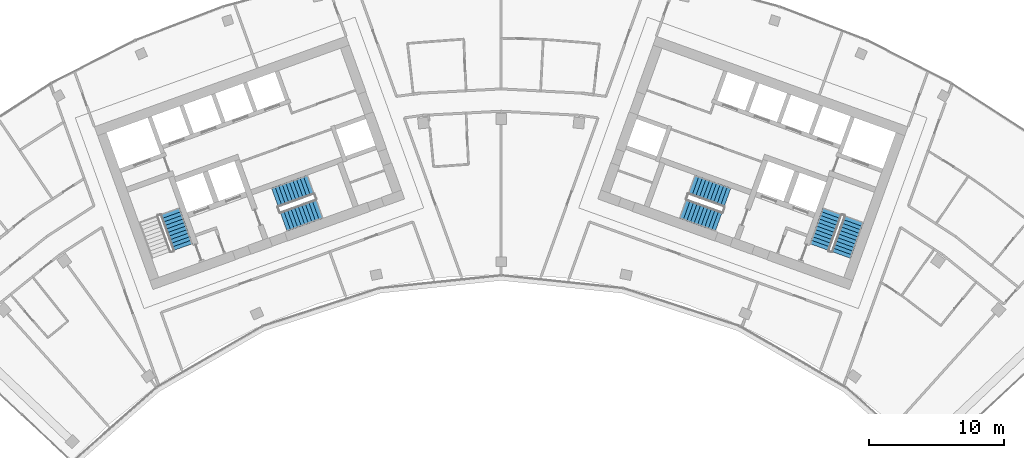
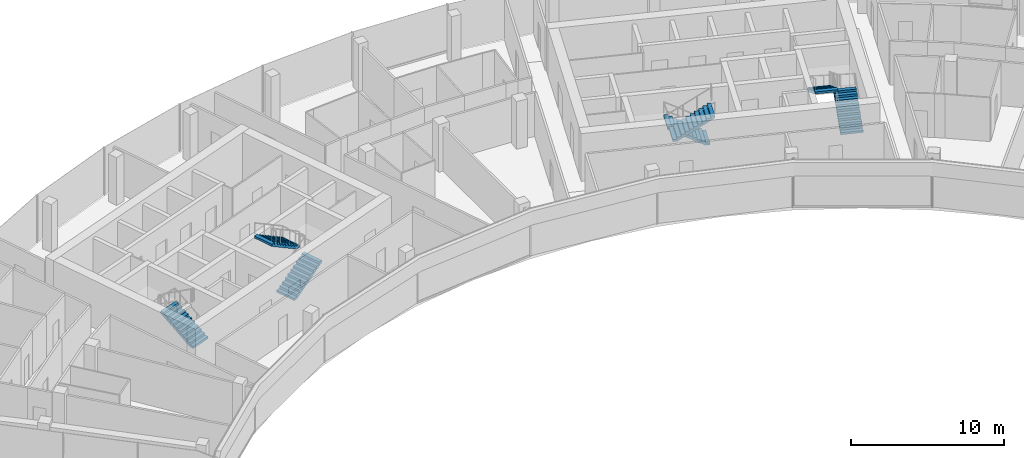
# One storey, part 17 of 18: 7 stair flights, 4 elements without a shape of their own.
"""IFC4 building model written with IfcOpenShell, lengths in metres."""

from ifc_helpers import new_model, si_unit, direction, frame, origin, place, context, subcontext, project, spatial, polyline, outline, extrude, material, type_object, element, aggregate, save


model = new_model("IFC4")

# Units and contexts
model_context = context("Model", 3, precision=1e-05, world=origin(), true_north=direction((0.0, 1.0)))
body_context = subcontext(model_context, "Body", "Model", "MODEL_VIEW")
ifc_project = project(units=[si_unit("LENGTHUNIT", "METRE"), si_unit("AREAUNIT", "SQUARE_METRE"), si_unit("VOLUMEUNIT", "CUBIC_METRE"), si_unit("PLANEANGLEUNIT", "RADIAN"), si_unit("MASSUNIT", "GRAM", prefix="KILO")], contexts=[model_context])

# Site, building, storey
site_placement = place(None, origin())
site = spatial("IfcSite", under=ifc_project, at=site_placement, CompositionType="ELEMENT")
building_placement = place(site_placement, origin())
building = spatial("IfcBuilding", under=site, at=building_placement, Name="Stone Belt Terrace Tower", CompositionType="ELEMENT")
storey_placement = place(building_placement, frame((0.0, 0.0, 288.39990234375)))
storey = spatial("IfcBuildingStorey", under=building, at=storey_placement, Name="L70", CompositionType="ELEMENT", Elevation=288.39990234375)

# Stair, stair flight
ifc_material = material(Name="Concrete B40", Category="concrete")
stair_type = type_object("IfcStairType", Name="Exit stair 1500", PredefinedType="HALF_TURN_STAIR", material=ifc_material)
stair_1_placement = place(storey_placement, origin())
stair_1 = element("IfcStair", 1, at=stair_1_placement, inside=storey, type_object=stair_type, Name="L70 Exit stair 1 core A", PredefinedType="HALF_TURN_STAIR")
stair_flight_type = type_object("IfcStairFlightType", Name="Stair flight 1500", PredefinedType="STRAIGHT", material=ifc_material)
stair_flight_1_placement = place(storey_placement, frame((-23.55322265625, 45.51318359375, 0.0), z_axis=(0.0, 0.0, 1.0), x_axis=(-0.338624396177, 0.940921632398, 0.0)))
stair_flight_1 = element("IfcStairFlight", 2, at=stair_flight_1_placement, type_object=stair_flight_type, Name="ST1A flight 1", NumberOfRisers=11, NumberOfTreads=10, PredefinedType="STRAIGHT", RiserHeight=0.172727273, TreadLength=0.28, context=body_context, shape_type="SweptSolid", body=[
    extrude(outline(polyline([(0.0, 0.0), (0.0, 0.172607421875), (0.280029296875, 0.172607421875), (0.280029296875, 0.345458984375), (0.56005859375, 0.345458984375), (0.56005859375, 0.51806640625), (0.840087890625, 0.51806640625), (0.840087890625, 0.69091796875), (1.1201171875, 0.69091796875), (1.1201171875, 0.863525390625), (1.39990234375, 0.863525390625), (1.39990234375, 1.036376953125), (1.679931640625, 1.036376953125), (1.679931640625, 1.208984375), (1.9599609375, 1.208984375), (1.9599609375, 1.3818359375), (2.239990234375, 1.3818359375), (2.239990234375, 1.554443359375), (2.52001953125, 1.554443359375), (2.52001953125, 1.727294921875), (2.800048828125, 1.727294921875), (2.800048828125, 1.89990234375), (2.800048828125, 1.551025390625), (0.285400390625, 0.0), (0.0, 0.0)])), frame((0.0, 0.75, 0.0), z_axis=(0.0, -1.0, 0.0), x_axis=(1.0, 0.0, 0.0)), (0.0, 0.0, 1.0), 1.5),
])
aggregate(stair_1, [stair_flight_1])

# Stair, stair flights
stair_2_placement = place(storey_placement, origin())
stair_2 = element("IfcStair", 3, at=stair_2_placement, inside=storey, type_object=stair_type, Name="L70 Exit stair 2 core A", PredefinedType="HALF_TURN_STAIR")
stair_flight_2_placement = place(storey_placement, frame((-16.101318359375, 47.39794921875, 0.0), z_axis=(0.0, 0.0, 1.0), x_axis=(0.940921632398, 0.338624396177, 0.0)))
stair_flight_2 = element("IfcStairFlight", 4, at=stair_flight_2_placement, type_object=stair_flight_type, Name="ST2A flight 1", NumberOfRisers=11, NumberOfTreads=10, PredefinedType="STRAIGHT", RiserHeight=0.172727273, TreadLength=0.28, context=body_context, shape_type="SweptSolid", body=[
    extrude(outline(polyline([(0.0, 0.0), (0.0, 0.172607421875), (0.280029296875, 0.172607421875), (0.280029296875, 0.345458984375), (0.56005859375, 0.345458984375), (0.56005859375, 0.51806640625), (0.840087890625, 0.51806640625), (0.840087890625, 0.69091796875), (1.1201171875, 0.69091796875), (1.1201171875, 0.863525390625), (1.39990234375, 0.863525390625), (1.39990234375, 1.036376953125), (1.679931640625, 1.036376953125), (1.679931640625, 1.208984375), (1.9599609375, 1.208984375), (1.9599609375, 1.3818359375), (2.239990234375, 1.3818359375), (2.239990234375, 1.554443359375), (2.52001953125, 1.554443359375), (2.52001953125, 1.727294921875), (2.800048828125, 1.727294921875), (2.800048828125, 1.89990234375), (2.800048828125, 1.551025390625), (0.285400390625, 0.0), (0.0, 0.0)])), frame((0.0, 0.75, 0.0), z_axis=(0.0, -1.0, 0.0), x_axis=(1.0, 0.0, 0.0)), (0.0, 0.0, 1.0), 1.5),
])
stair_flight_3_placement = place(storey_placement, frame((-14.110107421875, 50.1337890625, 1.900146484375), z_axis=(0.0, 0.0, 1.0), x_axis=(-0.940921632398, -0.338624396177, 0.0)))
stair_flight_3 = element("IfcStairFlight", 5, at=stair_flight_3_placement, type_object=stair_flight_type, Name="ST2A flight 2", NumberOfRisers=11, NumberOfTreads=10, PredefinedType="STRAIGHT", RiserHeight=0.172727273, TreadLength=0.28, context=body_context, shape_type="SweptSolid", body=[
    extrude(outline(polyline([(0.0, 0.0), (0.0, 0.172607421875), (0.280029296875, 0.172607421875), (0.280029296875, 0.345458984375), (0.56005859375, 0.345458984375), (0.56005859375, 0.51806640625), (0.840087890625, 0.51806640625), (0.840087890625, 0.69091796875), (1.1201171875, 0.69091796875), (1.1201171875, 0.863525390625), (1.39990234375, 0.863525390625), (1.39990234375, 1.036376953125), (1.679931640625, 1.036376953125), (1.679931640625, 1.208984375), (1.9599609375, 1.208984375), (1.9599609375, 1.3818359375), (2.239990234375, 1.3818359375), (2.239990234375, 1.554443359375), (2.52001953125, 1.554443359375), (2.52001953125, 1.727294921875), (2.800048828125, 1.727294921875), (2.800048828125, 1.89990234375), (2.800048828125, 1.551025390625), (0.285400390625, 0.0), (0.0, 0.0)])), frame((0.0, 0.75, 0.0), z_axis=(0.0, -1.0, 0.0), x_axis=(1.0, 0.0, 0.0)), (0.0, 0.0, 1.0), 1.5),
])
aggregate(stair_2, [stair_flight_2, stair_flight_3])

stair_3_placement = place(storey_placement, origin())
stair_3 = element("IfcStair", 6, at=stair_3_placement, inside=storey, type_object=stair_type, Name="L70 Exit stair 1 core B", PredefinedType="HALF_TURN_STAIR")
stair_flight_4_placement = place(storey_placement, frame((25.15283203125, 44.9375, 0.0), z_axis=(0.0, 0.0, 1.0), x_axis=(0.338624396177, 0.940921632398, 0.0)))
stair_flight_4 = element("IfcStairFlight", 7, at=stair_flight_4_placement, type_object=stair_flight_type, Name="ST1B flight 1", NumberOfRisers=11, NumberOfTreads=10, PredefinedType="STRAIGHT", RiserHeight=0.172727273, TreadLength=0.28, context=body_context, shape_type="SweptSolid", body=[
    extrude(outline(polyline([(0.0, 0.0), (0.0, 0.172607421875), (0.280029296875, 0.172607421875), (0.280029296875, 0.345458984375), (0.56005859375, 0.345458984375), (0.56005859375, 0.51806640625), (0.840087890625, 0.51806640625), (0.840087890625, 0.69091796875), (1.1201171875, 0.69091796875), (1.1201171875, 0.863525390625), (1.39990234375, 0.863525390625), (1.39990234375, 1.036376953125), (1.679931640625, 1.036376953125), (1.679931640625, 1.208984375), (1.9599609375, 1.208984375), (1.9599609375, 1.3818359375), (2.239990234375, 1.3818359375), (2.239990234375, 1.554443359375), (2.52001953125, 1.554443359375), (2.52001953125, 1.727294921875), (2.800048828125, 1.727294921875), (2.800048828125, 1.89990234375), (2.800048828125, 1.551025390625), (0.285400390625, 0.0), (0.0, 0.0)])), frame((0.0, 0.75, 0.0), z_axis=(0.0, -1.0, 0.0), x_axis=(1.0, 0.0, 0.0)), (0.0, 0.0, 1.0), 1.5),
])
stair_flight_5_placement = place(storey_placement, frame((24.50146484375, 48.147705078125, 1.900146484375), z_axis=(0.0, 0.0, 1.0), x_axis=(-0.338624396177, -0.940921632398, 0.0)))
stair_flight_5 = element("IfcStairFlight", 8, at=stair_flight_5_placement, type_object=stair_flight_type, Name="ST1B flight 2", NumberOfRisers=11, NumberOfTreads=10, PredefinedType="STRAIGHT", RiserHeight=0.172727273, TreadLength=0.28, context=body_context, shape_type="SweptSolid", body=[
    extrude(outline(polyline([(0.0, 0.0), (0.0, 0.172607421875), (0.280029296875, 0.172607421875), (0.280029296875, 0.345458984375), (0.56005859375, 0.345458984375), (0.56005859375, 0.51806640625), (0.840087890625, 0.51806640625), (0.840087890625, 0.69091796875), (1.1201171875, 0.69091796875), (1.1201171875, 0.863525390625), (1.39990234375, 0.863525390625), (1.39990234375, 1.036376953125), (1.679931640625, 1.036376953125), (1.679931640625, 1.208984375), (1.9599609375, 1.208984375), (1.9599609375, 1.3818359375), (2.239990234375, 1.3818359375), (2.239990234375, 1.554443359375), (2.52001953125, 1.554443359375), (2.52001953125, 1.727294921875), (2.800048828125, 1.727294921875), (2.800048828125, 1.89990234375), (2.800048828125, 1.551025390625), (0.285400390625, 0.0), (0.0, 0.0)])), frame((0.0, 0.75, 0.0), z_axis=(0.0, -1.0, 0.0), x_axis=(1.0, 0.0, 0.0)), (0.0, 0.0, 1.0), 1.5),
])
aggregate(stair_3, [stair_flight_4, stair_flight_5])

stair_4_placement = place(storey_placement, origin())
stair_4 = element("IfcStair", 9, at=stair_4_placement, inside=storey, type_object=stair_type, Name="L70 Exit stair 2 core B", PredefinedType="HALF_TURN_STAIR")
stair_flight_6_placement = place(storey_placement, frame((16.74462890625, 49.185546875, 0.0), z_axis=(0.0, 0.0, 1.0), x_axis=(-0.940921632398, 0.338624396177, 0.0)))
stair_flight_6 = element("IfcStairFlight", 10, at=stair_flight_6_placement, type_object=stair_flight_type, Name="ST2B flight 1", NumberOfRisers=11, NumberOfTreads=10, PredefinedType="STRAIGHT", RiserHeight=0.172727273, TreadLength=0.28, context=body_context, shape_type="SweptSolid", body=[
    extrude(outline(polyline([(0.0, 0.0), (0.0, 0.172607421875), (0.280029296875, 0.172607421875), (0.280029296875, 0.345458984375), (0.56005859375, 0.345458984375), (0.56005859375, 0.51806640625), (0.840087890625, 0.51806640625), (0.840087890625, 0.69091796875), (1.1201171875, 0.69091796875), (1.1201171875, 0.863525390625), (1.39990234375, 0.863525390625), (1.39990234375, 1.036376953125), (1.679931640625, 1.036376953125), (1.679931640625, 1.208984375), (1.9599609375, 1.208984375), (1.9599609375, 1.3818359375), (2.239990234375, 1.3818359375), (2.239990234375, 1.554443359375), (2.52001953125, 1.554443359375), (2.52001953125, 1.727294921875), (2.800048828125, 1.727294921875), (2.800048828125, 1.89990234375), (2.800048828125, 1.551025390625), (0.285400390625, 0.0), (0.0, 0.0)])), frame((0.0, 0.75, 0.0), z_axis=(0.0, -1.0, 0.0), x_axis=(1.0, 0.0, 0.0)), (0.0, 0.0, 1.0), 1.5),
])
stair_flight_7_placement = place(storey_placement, frame((13.466796875, 48.345947265625, 1.900146484375), z_axis=(0.0, 0.0, 1.0), x_axis=(0.940921632398, -0.338624396177, 0.0)))
stair_flight_7 = element("IfcStairFlight", 11, at=stair_flight_7_placement, type_object=stair_flight_type, Name="ST2B flight 2", NumberOfRisers=11, NumberOfTreads=10, PredefinedType="STRAIGHT", RiserHeight=0.172727273, TreadLength=0.28, context=body_context, shape_type="SweptSolid", body=[
    extrude(outline(polyline([(0.0, 0.0), (0.0, 0.172607421875), (0.280029296875, 0.172607421875), (0.280029296875, 0.345458984375), (0.56005859375, 0.345458984375), (0.56005859375, 0.51806640625), (0.840087890625, 0.51806640625), (0.840087890625, 0.69091796875), (1.1201171875, 0.69091796875), (1.1201171875, 0.863525390625), (1.39990234375, 0.863525390625), (1.39990234375, 1.036376953125), (1.679931640625, 1.036376953125), (1.679931640625, 1.208984375), (1.9599609375, 1.208984375), (1.9599609375, 1.3818359375), (2.239990234375, 1.3818359375), (2.239990234375, 1.554443359375), (2.52001953125, 1.554443359375), (2.52001953125, 1.727294921875), (2.800048828125, 1.727294921875), (2.800048828125, 1.89990234375), (2.800048828125, 1.551025390625), (0.285400390625, 0.0), (0.0, 0.0)])), frame((0.0, 0.75, 0.0), z_axis=(0.0, -1.0, 0.0), x_axis=(1.0, 0.0, 0.0)), (0.0, 0.0, 1.0), 1.5),
])
aggregate(stair_4, [stair_flight_6, stair_flight_7])

save(model, "model.ifc")
